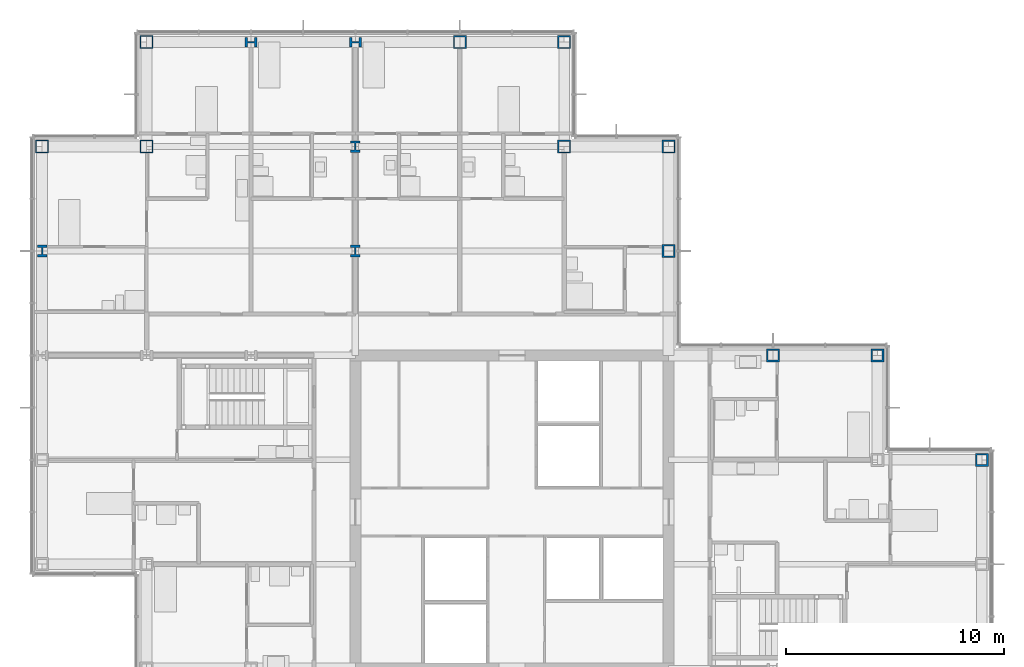
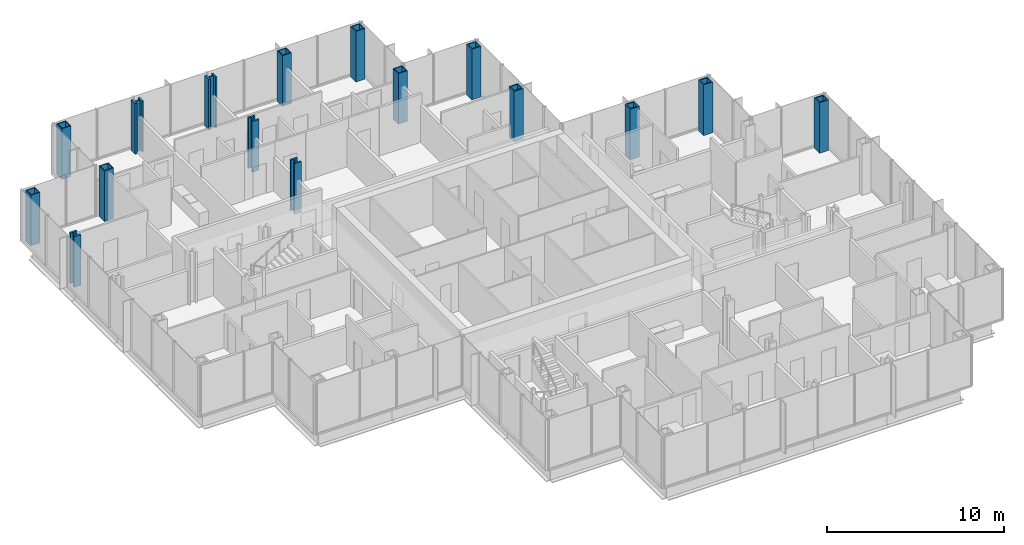
# One storey, part 5 of 20: 16 columns.
"""IFC4 building model written with IfcOpenShell, lengths in metres."""

from ifc_helpers import new_model, si_unit, direction, frame, origin, origin_2d, place, context, subcontext, project, spatial, hollow_rectangle, i_section, extrude, material, material_profile, profile_set, type_object, element, save


model = new_model("IFC4")

# Units and contexts
model_context = context("Model", 3, precision=1e-05, world=origin(), true_north=direction((0.0, 1.0)))
body_context = subcontext(model_context, "Body", "Model", "MODEL_VIEW")
ifc_project = project(units=[si_unit("LENGTHUNIT", "METRE"), si_unit("AREAUNIT", "SQUARE_METRE"), si_unit("VOLUMEUNIT", "CUBIC_METRE"), si_unit("PLANEANGLEUNIT", "RADIAN"), si_unit("MASSUNIT", "GRAM", prefix="KILO")], contexts=[model_context])

# Site, building, storey
site_placement = place(None, origin())
site = spatial("IfcSite", under=ifc_project, at=site_placement, CompositionType="ELEMENT")
building_placement = place(site_placement, origin())
building = spatial("IfcBuilding", under=site, at=building_placement, Name="Kvirike Care Tower", CompositionType="ELEMENT")
storey_placement = place(building_placement, frame((0.0, 0.0, 115.5)))
storey = spatial("IfcBuildingStorey", under=building, at=storey_placement, Name="L31", CompositionType="ELEMENT", Elevation=115.5)

# Columns
ifc_material_1 = material(Name="Steel S460", Category="steel")
ifc_material_profile_1 = material_profile(ifc_material_1, hollow_rectangle(XDim=0.60009765625, YDim=0.60009765625, WallThickness=0.050048828125, at=origin_2d()), Name="BX 600x600x50")
ifc_profile_set_1 = profile_set([ifc_material_profile_1], Name="Steel S460")
column_type_1 = type_object("IfcColumnType", Name="COLUMN BX 600x600x50", PredefinedType="COLUMN", material=ifc_profile_set_1)
for number, where, z_axis, x_axis, name in (
    (1, (0.0, 52.800048828125, 0.0), (0.0, 0.0, 1.0), (0.0, 1.0, 0.0), "Column M3 L31"),
    (2, (4.800048828125, 52.800048828125, 0.0), (0.0, 0.0, 1.0), (0.0, 1.0, 0.0), "Column M4 L31"),
    (3, (4.800048828125, 57.60009765625, 0.0), (0.0, 0.0, 1.0), (0.0, 1.0, 0.0), "Column N4 L31"),
):
    element("IfcColumn", number, at=place(storey_placement, frame(where, z_axis=z_axis, x_axis=x_axis)), inside=storey, type_object=column_type_1, Name=name, PredefinedType="COLUMN", context=body_context, shape_type="SweptSolid", body=[
        extrude(hollow_rectangle(XDim=0.60009765625, YDim=0.60009765625, WallThickness=0.050048828125, at=origin_2d()), origin(), (0.0, 0.0, 1.0), 3.5),
    ])
ifc_material_2 = material(Name="Steel S460", Category="steel")
ifc_material_profile_2 = material_profile(ifc_material_2, hollow_rectangle(XDim=0.60009765625, YDim=0.60009765625, WallThickness=0.06005859375, at=origin_2d()), Name="BX 600x600x60")
ifc_profile_set_2 = profile_set([ifc_material_profile_2], Name="Steel S460")
column_type_2 = type_object("IfcColumnType", Name="COLUMN BX 600x600x60", PredefinedType="COLUMN", material=ifc_profile_set_2)
for number, where, z_axis, x_axis, name in (
    (4, (19.199951171875, 57.60009765625, 0.0), (0.0, 0.0, 1.0), (0.0, 1.0, 0.0), "Column N7 L31"),
    (5, (24.0, 52.800048828125, 0.0), (0.0, 0.0, 1.0), (0.0, 1.0, 0.0), "Column M8 L31"),
    (6, (24.0, 57.60009765625, 0.0), (0.0, 0.0, 1.0), (0.0, 1.0, 0.0), "Column N8 L31"),
    (7, (28.800048828125, 52.800048828125, 0.0), (0.0, 0.0, 1.0), (0.0, 1.0, 0.0), "Column M9 L31"),
):
    element("IfcColumn", number, at=place(storey_placement, frame(where, z_axis=z_axis, x_axis=x_axis)), inside=storey, type_object=column_type_2, Name=name, PredefinedType="COLUMN", context=body_context, shape_type="SweptSolid", body=[
        extrude(hollow_rectangle(XDim=0.60009765625, YDim=0.60009765625, WallThickness=0.06005859375, at=origin_2d()), origin(), (0.0, 0.0, 1.0), 3.5),
    ])
ifc_material_3 = material(Name="Steel S460", Category="steel")
ifc_material_profile_3 = material_profile(ifc_material_3, hollow_rectangle(XDim=0.60009765625, YDim=0.60009765625, WallThickness=0.080078125, at=origin_2d()), Name="BX 600x600x80")
ifc_profile_set_3 = profile_set([ifc_material_profile_3], Name="Steel S460")
column_type_3 = type_object("IfcColumnType", Name="COLUMN BX 600x600x80", PredefinedType="COLUMN", material=ifc_profile_set_3)
for number, where, z_axis, x_axis, name in (
    (8, (28.800048828125, 48.0, 0.0), (0.0, 0.0, 1.0), (1.0, 0.0, 0.0), "Column L9 L31"),
    (9, (33.60009765625, 43.199951171875, 0.0), (0.0, 0.0, 1.0), (0.0, 1.0, 0.0), "Column K10 L31"),
    (10, (38.39990234375, 43.199951171875, 0.0), (0.0, 0.0, 1.0), (0.0, 1.0, 0.0), "Column K11 L31"),
    (11, (43.199951171875, 38.39990234375, 0.0), (0.0, 0.0, 1.0), (0.0, 1.0, 0.0), "Column J12 L31"),
):
    element("IfcColumn", number, at=place(storey_placement, frame(where, z_axis=z_axis, x_axis=x_axis)), inside=storey, type_object=column_type_3, Name=name, PredefinedType="COLUMN", context=body_context, shape_type="SweptSolid", body=[
        extrude(hollow_rectangle(XDim=0.60009765625, YDim=0.60009765625, WallThickness=0.080078125, at=origin_2d()), origin(), (0.0, 0.0, 1.0), 3.5),
    ])
ifc_material_4 = material(Name="Steel S460", Category="steel")
ifc_material_profile_4 = material_profile(ifc_material_4, i_section(OverallWidth=0.44189453125, OverallDepth=0.531005859375, WebThickness=0.06591796875, FlangeThickness=0.10595703125, FilletRadius=0.014892578125, at=origin_2d()), Name="HD 400x900")
ifc_profile_set_4 = profile_set([ifc_material_profile_4], Name="Steel S460")
column_type_4 = type_object("IfcColumnType", Name="COLUMN HD 400x900", PredefinedType="COLUMN", material=ifc_profile_set_4)
for number, where, z_axis, x_axis, name in (
    (12, (14.39990234375, 48.0, 0.0), (0.0, 0.0, 1.0), (1.0, 0.0, 0.0), "Column L6 L31"),
    (13, (14.39990234375, 52.800048828125, 0.0), (0.0, 0.0, 1.0), (1.0, 0.0, 0.0), "Column M6 L31"),
):
    element("IfcColumn", number, at=place(storey_placement, frame(where, z_axis=z_axis, x_axis=x_axis)), inside=storey, type_object=column_type_4, Name=name, PredefinedType="COLUMN", context=body_context, shape_type="SweptSolid", body=[
        extrude(i_section(OverallWidth=0.44189453125, OverallDepth=0.531005859375, WebThickness=0.06591796875, FlangeThickness=0.10595703125, FilletRadius=0.014892578125, at=origin_2d()), origin(), (0.0, 0.0, 1.0), 3.5),
    ])
ifc_material_5 = material(Name="Steel S460", Category="steel")
ifc_material_profile_5 = material_profile(ifc_material_5, i_section(OverallWidth=0.447998046875, OverallDepth=0.550048828125, WebThickness=0.072021484375, FlangeThickness=0.114990234375, FilletRadius=0.014892578125, at=origin_2d()), Name="HD 400x990")
ifc_profile_set_5 = profile_set([ifc_material_profile_5], Name="Steel S460")
column_type_5 = type_object("IfcColumnType", Name="COLUMN HD 400x990", PredefinedType="COLUMN", material=ifc_profile_set_5)
for number, where, z_axis, x_axis, name in (
    (14, (0.0, 48.0, 0.0), (0.0, 0.0, 1.0), (1.0, 0.0, 0.0), "Column L3 L31"),
    (15, (9.60009765625, 57.60009765625, 0.0), (0.0, 0.0, 1.0), (0.0, 1.0, 0.0), "Column N5 L31"),
    (16, (14.39990234375, 57.60009765625, 0.0), (0.0, 0.0, 1.0), (0.0, 1.0, 0.0), "Column N6 L31"),
):
    element("IfcColumn", number, at=place(storey_placement, frame(where, z_axis=z_axis, x_axis=x_axis)), inside=storey, type_object=column_type_5, Name=name, PredefinedType="COLUMN", context=body_context, shape_type="SweptSolid", body=[
        extrude(i_section(OverallWidth=0.447998046875, OverallDepth=0.550048828125, WebThickness=0.072021484375, FlangeThickness=0.114990234375, FilletRadius=0.014892578125, at=origin_2d()), origin(), (0.0, 0.0, 1.0), 3.5),
    ])

save(model, "model.ifc")
